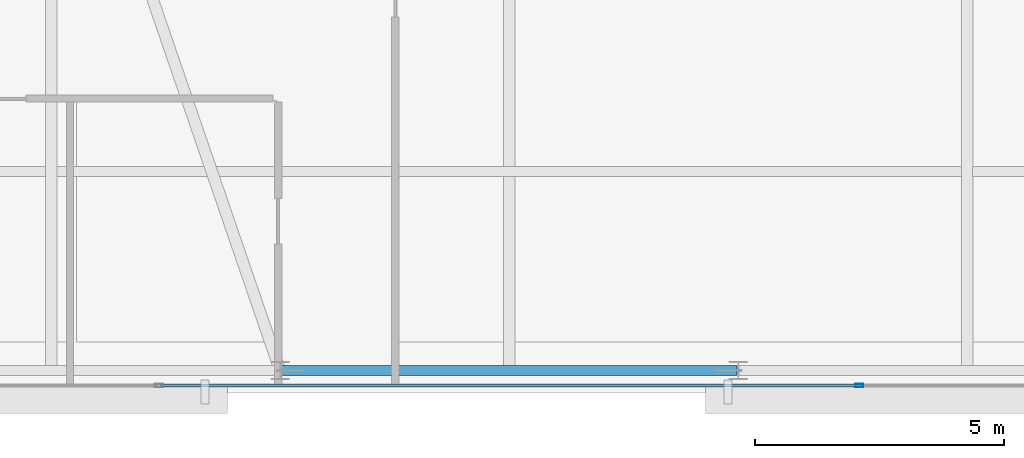
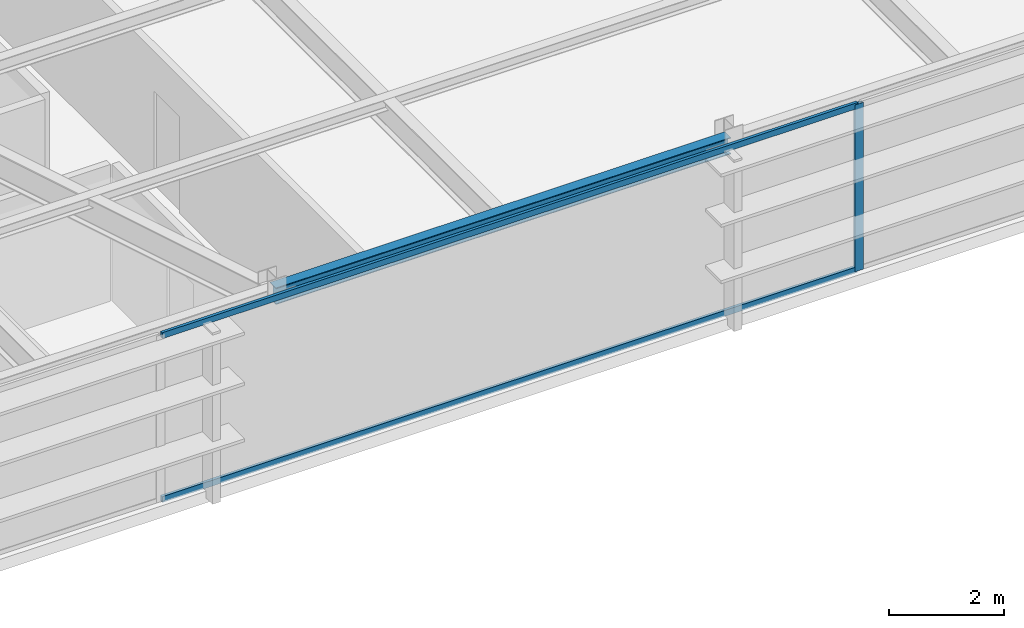
# One storey, part 7 of 25: 3 members, 1 beam, 1 element without a shape of its own.
"""IFC4 building model written with IfcOpenShell, lengths in metres."""

from ifc_helpers import new_model, si_unit, direction, frame, origin, origin_2d, place, context, subcontext, project, spatial, hollow_rectangle, i_section, extrude, source, transform, mapped, material, layer, layer_set, material_profile, profile_set, type_object, type_shapes, element, aggregate, save


model = new_model("IFC4")

# Units and contexts
model_context = context("Model", 3, precision=1e-05, world=origin(), true_north=direction((0.0, 1.0)))
body_context = subcontext(model_context, "Body", "Model", "MODEL_VIEW")
ifc_project = project(units=[si_unit("LENGTHUNIT", "METRE"), si_unit("AREAUNIT", "SQUARE_METRE"), si_unit("VOLUMEUNIT", "CUBIC_METRE"), si_unit("PLANEANGLEUNIT", "RADIAN"), si_unit("MASSUNIT", "GRAM", prefix="KILO")], contexts=[model_context])

# Site, building, storey
site_placement = place(None, origin())
site = spatial("IfcSite", under=ifc_project, at=site_placement, CompositionType="ELEMENT")
building_placement = place(site_placement, origin())
building = spatial("IfcBuilding", under=site, at=building_placement, Name="Varnel Quay Broadcast Tower", CompositionType="ELEMENT")
storey_placement = place(building_placement, frame((0.0, 0.0, 250.800048828125)))
storey = spatial("IfcBuildingStorey", under=building, at=storey_placement, Name="L62", CompositionType="ELEMENT", Elevation=250.800048828125)

# Beam
ifc_material_1 = material(Name="Structural Steel CSA G40.21 350W", Category="steel")
ifc_material_profile_1 = material_profile(ifc_material_1, i_section(OverallWidth=0.205078125, OverallDepth=0.35400390625, WebThickness=0.009521484375, FlangeThickness=0.016845703125, FilletRadius=0.012939453125, at=origin_2d()), Name="W360X79")
ifc_profile_set_1 = profile_set([ifc_material_profile_1], Name="Structural Steel CSA G40.21 350W")
beam_type = type_object("IfcBeamType", Name="Beam_W360X79", PredefinedType="SPANDREL", material=ifc_profile_set_1)
shared_shape_1 = source(origin(), body_context, "Body", "SweptSolid", [
    extrude(i_section(OverallWidth=0.205078125, OverallDepth=0.35400390625, WebThickness=0.009521484375, FlangeThickness=0.016845703125, FilletRadius=0.012939453125, at=origin_2d()), origin(), (0.0, 0.0, 1.0), 9.16015625),
])
type_shapes(beam_type, [shared_shape_1])
beam_placement = place(storey_placement, frame((29.419921875, 10.64990234375, 3.373046875), z_axis=(1.0, 0.0, 0.0), x_axis=(0.0, 1.0, 0.0)))
element("IfcBeam", 1, at=beam_placement, inside=storey, type_object=beam_type, Name="L62 South Spandrel TC-S2-TC-S3", PredefinedType="SPANDREL", context=body_context, shape_type="MappedRepresentation", body=[
    mapped(shared_shape_1, transform((0.0, 0.0, 0.0), x_axis=(1.0, 0.0, 0.0), y_axis=(0.0, 1.0, 0.0), z_axis=(0.0, 0.0, 1.0), scale=1.0)),
])

# Curtain wall, members
ifc_material_2 = material(Name="Anodised Bronze Aluminium 6063-T6", Category="aluminium")
ifc_layer = layer(ifc_material_2, 0.18994140625, Name="Anodised Bronze Aluminium 6063-T6")
ifc_layer_set = layer_set([ifc_layer], Name="Anodised Bronze Aluminium 6063-T6")
curtain_wall_type = type_object("IfcCurtainWallType", Name="CW_UpperTower", PredefinedType="NOTDEFINED", material=ifc_layer_set)
curtain_wall_placement = place(storey_placement, origin())
curtain_wall = element("IfcCurtainWall", 2, at=curtain_wall_placement, inside=storey, type_object=curtain_wall_type, Name="L62 South Unitised Curtain Wall 1", PredefinedType="NOTDEFINED")
ifc_material_profile_2 = material_profile(ifc_material_2, hollow_rectangle(XDim=0.06494140625, YDim=0.1650390625, WallThickness=0.00341796875, at=origin_2d()), Name="ALU65X165X3.5")
ifc_profile_set_2 = profile_set([ifc_material_profile_2], Name="Anodised Bronze Aluminium 6063-T6")
member_type_1 = type_object("IfcMemberType", Name="Mull_CWS-03", PredefinedType="MULLION", material=ifc_profile_set_2)
shared_shape_2 = source(origin(), body_context, "Body", "SweptSolid", [
    extrude(hollow_rectangle(XDim=0.06494140625, YDim=0.1650390625, WallThickness=0.00341796875, at=origin_2d()), origin(), (0.0, 0.0, 1.0), 3.550048828125),
])
type_shapes(member_type_1, [shared_shape_2])
member_1_placement = place(storey_placement, frame((41.033447265625, 10.35009765625, 0.0), z_axis=(0.0, 0.0, 1.0), x_axis=(0.0, 1.0, 0.0)))
member_1 = element("IfcMember", 3, at=member_1_placement, type_object=member_type_1, Name="CWS-03 mullion 3", PredefinedType="MULLION", context=body_context, shape_type="MappedRepresentation", body=[
    mapped(shared_shape_2, transform((0.0, 0.0, 0.0), x_axis=(1.0, 0.0, 0.0), y_axis=(0.0, 1.0, 0.0), z_axis=(0.0, 0.0, 1.0), scale=1.0)),
])
ifc_material_profile_3 = material_profile(ifc_material_2, hollow_rectangle(XDim=0.06005859375, YDim=0.125, WallThickness=0.0029296875, at=origin_2d()), Name="ALU60X125X3")
ifc_profile_set_3 = profile_set([ifc_material_profile_3], Name="Anodised Bronze Aluminium 6063-T6")
member_type_2 = type_object("IfcMemberType", Name="Tran_CWS-03", PredefinedType="USERDEFINED", material=ifc_profile_set_3)
shared_shape_3 = source(origin(), body_context, "Body", "SweptSolid", [
    extrude(hollow_rectangle(XDim=0.06005859375, YDim=0.125, WallThickness=0.0029296875, at=origin_2d()), origin(), (0.0, 0.0, 1.0), 14.00146484375),
])
type_shapes(member_type_2, [shared_shape_3])
member_2_placement = place(storey_placement, frame((26.999267578125, 10.35009765625, 0.030029296875), z_axis=(1.0, 0.0, 0.0), x_axis=(0.0, 1.0, 0.0)))
member_2 = element("IfcMember", 4, at=member_2_placement, type_object=member_type_2, Name="CWS-03 transom 2.1", ObjectType="TRANSOM", PredefinedType="USERDEFINED", context=body_context, shape_type="MappedRepresentation", body=[
    mapped(shared_shape_3, transform((0.0, 0.0, 0.0), x_axis=(1.0, 0.0, 0.0), y_axis=(0.0, 1.0, 0.0), z_axis=(0.0, 0.0, 1.0), scale=1.0)),
])
member_3_placement = place(storey_placement, frame((26.999267578125, 10.35009765625, 3.52001953125), z_axis=(1.0, 0.0, 0.0), x_axis=(0.0, 1.0, 0.0)))
member_3 = element("IfcMember", 5, at=member_3_placement, type_object=member_type_2, Name="CWS-03 transom 2.2", ObjectType="TRANSOM", PredefinedType="USERDEFINED", context=body_context, shape_type="MappedRepresentation", body=[
    mapped(shared_shape_3, transform((0.0, 0.0, 0.0), x_axis=(1.0, 0.0, 0.0), y_axis=(0.0, 1.0, 0.0), z_axis=(0.0, 0.0, 1.0), scale=1.0)),
])
aggregate(curtain_wall, [member_1, member_2, member_3])

save(model, "model.ifc")
